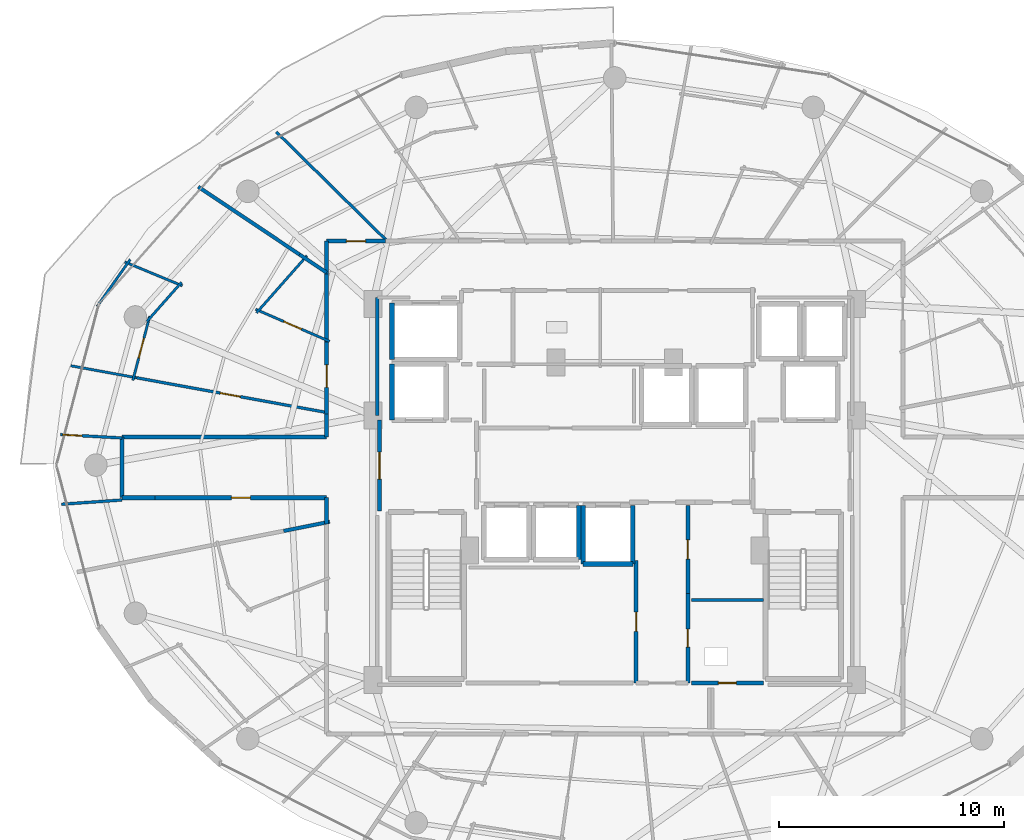
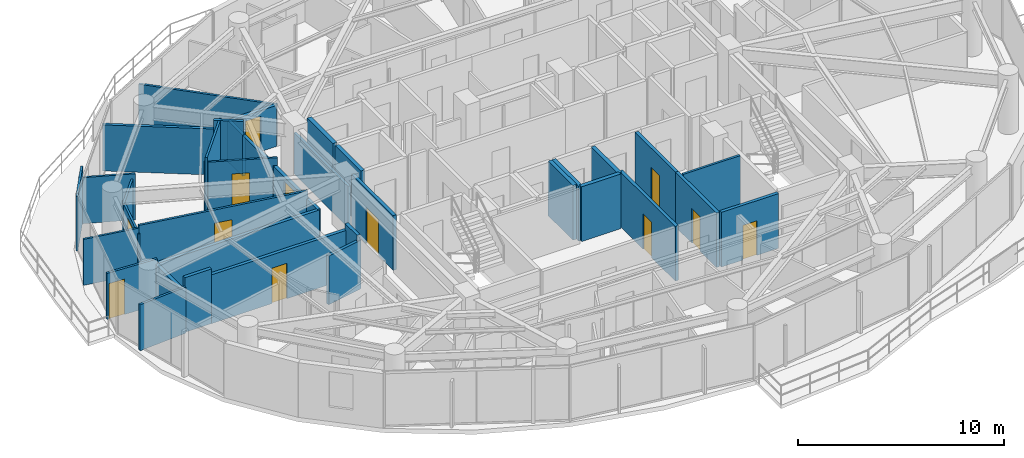
# One storey, part 22 of 30: 37 walls, 12 doors, 12 openings.
"""IFC4 building model written with IfcOpenShell, lengths in metres."""

import ifcopenshell
import ifcopenshell.guid

model = None  # the IFC model being written
_history = None  # IfcOwnerHistory: only IFC2X3 demands one
_inside = {}  # id of a spatial element -> (the spatial element, [elements in it])
_under = {}  # id of a project, library or spatial element -> (it, [spatial elements below it])
_declared = {}  # id of a project -> (the project, [libraries it declares])
_typed = {}  # id of a type object -> (the type object, [elements of that type])
_made_of = {}  # id of a material, layer set ... -> (it, [elements and type objects made of it])


def new_model(schema):
    """Start an empty IFC model of exactly this schema.

    Asked for "IFC4X3", IfcOpenShell would pick the latest addendum, in which some entities
    have other attributes; the version numbers below select the first issue.
    IFC2X3 requires an IfcOwnerHistory on every rooted entity: one is made here for all.
    """
    global model, _history
    if schema == "IFC4X3":
        model = ifcopenshell.file(schema_version=(4, 3, 0, 0))
    else:
        model = ifcopenshell.file(schema=schema)
    _inside.clear()
    _under.clear()
    _declared.clear()
    _typed.clear()
    _made_of.clear()
    _history = None
    if model.schema == "IFC2X3":
        org = make("IfcOrganization", Name="unknown")
        user = make(
            "IfcPersonAndOrganization",
            ThePerson=make("IfcPerson", FamilyName="unknown"),
            TheOrganization=org,
        )
        app = make(
            "IfcApplication",
            ApplicationDeveloper=org,
            Version="unknown",
            ApplicationFullName="unknown",
            ApplicationIdentifier="unknown",
        )
        _history = make(
            "IfcOwnerHistory",
            OwningUser=user,
            OwningApplication=app,
            ChangeAction="ADDED",
            CreationDate=0,
        )
    return model


def make(cls, **values):
    """One entity of the class cls with the attributes given. An attribute that is None is left unset."""
    return model.create_entity(
        cls, **{name: value for name, value in values.items() if value is not None}
    )


def rooted(cls, **values):
    """An entity with a GlobalId (a new one), such as an element, a storey or a relation."""
    return make(cls, GlobalId=ifcopenshell.guid.new(), OwnerHistory=_history, **values)


def si_unit(unit_type, name, prefix=None):
    """IfcSIUnit, for example si_unit("LENGTHUNIT", "METRE", prefix="MILLI")."""
    return make("IfcSIUnit", UnitType=unit_type, Prefix=prefix, Name=name)


def assignment(units):
    """IfcUnitAssignment: the units of a project."""
    return None if units is None else make("IfcUnitAssignment", Units=units)


def point(xyz):
    """IfcCartesianPoint."""
    return None if xyz is None else make("IfcCartesianPoint", Coordinates=xyz)


def direction(xyz):
    """IfcDirection."""
    return None if xyz is None else make("IfcDirection", DirectionRatios=xyz)


def frame(location, z_axis=None, x_axis=None):
    """IfcAxis2Placement3D, a coordinate frame: its origin and axes. An axis left out is left unset."""
    return make(
        "IfcAxis2Placement3D",
        Location=point(location),
        Axis=direction(z_axis),
        RefDirection=direction(x_axis),
    )


def frame_2d(location, x_axis=None):
    """IfcAxis2Placement2D, a coordinate frame in the plane: its origin and x axis."""
    return make(
        "IfcAxis2Placement2D", Location=point(location), RefDirection=direction(x_axis)
    )


def origin():
    """The frame at (0, 0, 0) with its axes left unset."""
    return frame((0.0, 0.0, 0.0))


def place(relative_to, where):
    """IfcLocalPlacement: puts the frame where relative to a parent placement (None: the world)."""
    return make(
        "IfcLocalPlacement", PlacementRelTo=relative_to, RelativePlacement=where
    )


def context(
    kind, dimensions, precision=None, world=None, true_north=None, identifier=None
):
    """IfcGeometricRepresentationContext, for example the 3D "Model" context."""
    return make(
        "IfcGeometricRepresentationContext",
        ContextIdentifier=identifier,
        ContextType=kind,
        CoordinateSpaceDimension=dimensions,
        Precision=precision,
        WorldCoordinateSystem=world,
        TrueNorth=true_north,
    )


def subcontext(parent, identifier, kind, view, scale=None):
    """IfcGeometricRepresentationSubContext, for example "Body" below "Model"."""
    return make(
        "IfcGeometricRepresentationSubContext",
        ContextIdentifier=identifier,
        ContextType=kind,
        ParentContext=parent,
        TargetScale=scale,
        TargetView=view,
    )


def project(units=None, contexts=None):
    """IfcProject with its units and contexts."""
    return rooted(
        "IfcProject",
        Name="project",
        RepresentationContexts=contexts,
        UnitsInContext=assignment(units),
    )


def spatial(cls, under=None, at=None, **own):
    """A site, building, storey or space (cls), placed at a placement, below another one or the project."""
    s = rooted(cls, ObjectPlacement=at, **own)
    if under is not None:
        _under.setdefault(under.id(), (under, []))[1].append(s)
    return s


def profile(cls, at=None, kind="AREA", **sizes):
    """A parametric profile (cls). Its sizes go by their IFC names, for example OverallWidth=200.0."""
    return make(cls, ProfileType=kind, Position=at, **sizes)


def rectangle(**sizes):
    """IfcRectangleProfileDef."""
    return profile("IfcRectangleProfileDef", **sizes)


def extrude(swept, where, along, depth):
    """IfcExtrudedAreaSolid: the profile swept, set in the frame where, extruded along a direction by depth."""
    return make(
        "IfcExtrudedAreaSolid",
        SweptArea=swept,
        Position=where,
        ExtrudedDirection=direction(along),
        Depth=depth,
    )


def shape(context_of_items, identifier, shape_type, items):
    """IfcShapeRepresentation: the items that make up one representation, for example the "Body"."""
    return make(
        "IfcShapeRepresentation",
        ContextOfItems=context_of_items,
        RepresentationIdentifier=identifier,
        RepresentationType=shape_type,
        Items=items,
    )


def material(Name=None, Category=None):
    """IfcMaterial."""
    return make("IfcMaterial", Name=Name, Category=Category)


def layer(
    of_material, thickness, ventilated=None, Name=None, Category=None, Priority=None
):
    """IfcMaterialLayer: one layer of a wall or slab, of a material (None: an air gap)."""
    return make(
        "IfcMaterialLayer",
        Material=of_material,
        LayerThickness=thickness,
        IsVentilated=ventilated,
        Name=Name,
        Category=Category,
        Priority=Priority,
    )


def layer_set(layers, Name=None):
    """IfcMaterialLayerSet."""
    return make("IfcMaterialLayerSet", MaterialLayers=layers, LayerSetName=Name)


def made_of(thing, what):
    """Note that an element or type object is made of a material, layer set ...; save() writes the relation."""
    if what is not None:
        _made_of.setdefault(what.id(), (what, []))[1].append(thing)
    return thing


def type_object(cls, material=None, **own):
    """A type object (cls), such as IfcWallType, which elements share."""
    return made_of(rooted(cls, **own), material)


def element(
    cls,
    number,
    at=None,
    inside=None,
    cuts=None,
    type_object=None,
    material=None,
    context=None,
    identifier="Body",
    shape_type=None,
    held_by="IfcProductDefinitionShape",
    body=None,
    shapes=None,
    **own,
):
    """One element of the class cls, such as IfcWall. Its Tag is "e" and its number.

    at: its placement. inside: the storey or other place that contains it. cuts: it is an
    opening in that element (IfcRelVoidsElement). A single representation is given by context,
    identifier, shape_type and body (its items); several are given by shapes. held_by: the class
    of the entity that holds the representations. save() writes the other relations.
    """
    e = rooted(cls, Tag="e%d" % number, ObjectPlacement=at, **own)
    if body is not None:
        shapes = [shape(context, identifier, shape_type, body)]
    if shapes is not None:
        e.Representation = make(held_by, Representations=shapes)
    if inside is not None:
        _inside.setdefault(inside.id(), (inside, []))[1].append(e)
    if cuts is not None:
        rooted(
            "IfcRelVoidsElement", RelatingBuildingElement=cuts, RelatedOpeningElement=e
        )
    if type_object is not None:
        _typed.setdefault(type_object.id(), (type_object, []))[1].append(e)
    return made_of(e, material)


def fill(opening, filler):
    """IfcRelFillsElement: the door or window that sits in an opening."""
    return rooted(
        "IfcRelFillsElement",
        RelatingOpeningElement=opening,
        RelatedBuildingElement=filler,
    )


def aggregate(whole, parts):
    """IfcRelAggregates: a whole, such as a stair, and the parts it consists of."""
    return rooted("IfcRelAggregates", RelatingObject=whole, RelatedObjects=parts)


def save(model, path):
    """Write the relations noted so far, then the file.

    IfcRelAggregates (storeys below a building ...), IfcRelContainedInSpatialStructure (elements
    in a storey), IfcRelDefinesByType, IfcRelAssociatesMaterial and IfcRelDeclares: one each for
    every whole, place, type object, material and project.
    """
    for whole, parts in _under.values():
        aggregate(whole, parts)
    for where, things in _inside.values():
        rooted(
            "IfcRelContainedInSpatialStructure",
            RelatedElements=things,
            RelatingStructure=where,
        )
    for kind, things in _typed.values():
        rooted("IfcRelDefinesByType", RelatedObjects=things, RelatingType=kind)
    for what, things in _made_of.values():
        rooted("IfcRelAssociatesMaterial", RelatedObjects=things, RelatingMaterial=what)
    for by, libraries in _declared.values():
        rooted("IfcRelDeclares", RelatingContext=by, RelatedDefinitions=libraries)
    model.write(path)


model = new_model("IFC4")

# Units and contexts
model_context = context("Model", 3, precision=1e-05, world=origin(), true_north=direction((0.0, 1.0)))
body_context = subcontext(model_context, "Body", "Model", "MODEL_VIEW")
ifc_project = project(units=[si_unit("LENGTHUNIT", "METRE"), si_unit("AREAUNIT", "SQUARE_METRE"), si_unit("VOLUMEUNIT", "CUBIC_METRE"), si_unit("PLANEANGLEUNIT", "RADIAN"), si_unit("MASSUNIT", "GRAM", prefix="KILO")], contexts=[model_context])

# Site, building, storey
site_placement = place(None, origin())
site = spatial("IfcSite", under=ifc_project, at=site_placement, CompositionType="ELEMENT")
building_placement = place(site_placement, origin())
building = spatial("IfcBuilding", under=site, at=building_placement, Name="Vorneva Point Tower", CompositionType="ELEMENT")
storey_placement = place(building_placement, frame((0.0, 0.0, 153.60009765625)))
storey = spatial("IfcBuildingStorey", under=building, at=storey_placement, Name="L41", CompositionType="ELEMENT", Elevation=153.60009765625)

# Wall
ifc_material_1 = material(Name="Concrete B60 (C50/60)", Category="concrete")
ifc_layer_1 = layer(ifc_material_1, 0.5)
ifc_layer_set_1 = layer_set([ifc_layer_1], Name="Concrete B60 (C50/60)")
wall_type_1 = type_object("IfcWallType", Name="WL-CORE-500", PredefinedType="SHEAR", material=ifc_layer_set_1)
wall_1_placement = place(storey_placement, frame((28.10009765625, 30.5, 0.0), z_axis=(0.0, 0.0, 1.0), x_axis=(0.0, -1.0, 0.0)))
element("IfcWall", 1, at=wall_1_placement, inside=storey, type_object=wall_type_1, Name="L41 Lift FFL1 Shaft Wall -X", PredefinedType="SHEAR", context=body_context, shape_type="SweptSolid", body=[
    extrude(rectangle(XDim=2.5, YDim=0.219970703125, at=frame_2d((1.25, 0.0))), origin(), (0.0, 0.0, 1.0), 3.239990234375),
])

# Wall, opening, door
ifc_material_2 = material(Name="Fire-rated acoustic gypsum stud partition", Category="gypsum")
ifc_layer_2 = layer(ifc_material_2, 0.110107421875)
ifc_layer_set_2 = layer_set([ifc_layer_2], Name="Fire-rated acoustic gypsum stud partition")
wall_type_2 = type_object("IfcWallType", Name="WL-PART-110", PredefinedType="PARTITIONING", material=ifc_layer_set_2)
wall_2_placement = place(storey_placement, frame((25.328369140625, 31.497314453125, 0.0), z_axis=(0.0, 0.0, 1.0), x_axis=(-0.917371334891, 0.398032453351, 0.0)))
wall_2 = element("IfcWall", 2, at=wall_2_placement, inside=storey, type_object=wall_type_2, Name="L41 Interior Partition 097", PredefinedType="PARTITIONING", context=body_context, shape_type="SweptSolid", body=[
    extrude(rectangle(XDim=3.578369140625, YDim=0.110107421875, at=frame_2d((1.7890625, 0.0))), origin(), (0.0, 0.0, 1.0), 2.885986328125),
])
opening_1_placement = place(wall_2_placement, frame((1.3642578125, 0.0, 0.0)))
opening_1 = element("IfcOpeningElement", 3, at=opening_1_placement, cuts=wall_2, Name="Opening ID-02", PredefinedType="OPENING", context=body_context, shape_type="SweptSolid", body=[
    extrude(rectangle(XDim=0.85009765625, YDim=2.10009765625, at=frame_2d((0.425048828125, 1.050048828125))), frame((0.0, 0.06982421875, 0.0), z_axis=(0.0, -1.0, 0.0), x_axis=(1.0, 0.0, 0.0)), (0.0, 0.0, 1.0), 0.139892578125),
])
ifc_material_3 = material(Name="Engineered oak fire-rated door leaf", Category="wood")
door_type_1 = type_object("IfcDoorType", Name="DR-BATH-850", OperationType="NOTDEFINED", PredefinedType="DOOR", material=ifc_material_3)
door_1_placement = place(opening_1_placement, origin())
door_1 = element("IfcDoor", 4, at=door_1_placement, inside=storey, type_object=door_type_1, Name="L41 Door Living and Dining Room L41-04 / Bathroom L41-04", OperationType="SINGLE_SWING_RIGHT", OverallHeight=2.10009765625, OverallWidth=0.85009765625, PredefinedType="DOOR", context=body_context, shape_type="SweptSolid", body=[
    extrude(rectangle(XDim=0.85009765625, YDim=2.10009765625, at=frame_2d((0.425048828125, 1.050048828125))), frame((0.0, 0.02490234375, 0.0), z_axis=(0.0, -1.0, 0.0), x_axis=(1.0, 0.0, 0.0)), (0.0, 0.0, 1.0), 0.050048828125),
])
fill(opening_1, door_1)

# Walls
wall_3_placement = place(storey_placement, frame((22.081298828125, 32.760986328125, 0.0), z_axis=(0.0, 0.0, 1.0), x_axis=(0.662023888113, 0.749482736004, 0.0)))
element("IfcWall", 5, at=wall_3_placement, inside=storey, type_object=wall_type_2, Name="L41 Interior Partition 098", PredefinedType="PARTITIONING", context=body_context, shape_type="SweptSolid", body=[
    extrude(rectangle(XDim=3.3916015625, YDim=0.110107421875, at=frame_2d((1.69580078125, 0.0))), origin(), (0.0, 0.0, 1.0), 3.239990234375),
])
wall_4_placement = place(storey_placement, frame((16.230712890625, 35.025634765625, 0.0), z_axis=(0.0, 0.0, 1.0), x_axis=(0.923742873908, -0.383013188943, 0.0)))
element("IfcWall", 6, at=wall_4_placement, inside=storey, type_object=wall_type_2, Name="L41 Interior Partition 099", PredefinedType="PARTITIONING", context=body_context, shape_type="SweptSolid", body=[
    extrude(rectangle(XDim=2.770751953125, YDim=0.110107421875, at=frame_2d((1.38525390625, 0.0))), origin(), (0.0, 0.0, 1.0), 2.727783203125),
])
wall_5_placement = place(storey_placement, frame((18.753662109375, 34.122802734375, 0.0), z_axis=(0.0, 0.0, 1.0), x_axis=(-0.66207590595, -0.749436785033, 0.0)))
element("IfcWall", 7, at=wall_5_placement, inside=storey, type_object=wall_type_2, Name="L41 Interior Partition 100", PredefinedType="PARTITIONING", context=body_context, shape_type="SweptSolid", body=[
    extrude(rectangle(XDim=2.327880859375, YDim=0.110107421875, at=frame_2d((1.1640625, 0.0))), origin(), (0.0, 0.0, 1.0), 2.431884765625),
])

# Wall, opening, door
wall_6_placement = place(storey_placement, frame((17.340576171875, 32.618408203125, 0.0), z_axis=(0.0, 0.0, 1.0), x_axis=(-0.254191595923, -0.967153882566, 0.0)))
wall_6 = element("IfcWall", 8, at=wall_6_placement, inside=storey, type_object=wall_type_2, Name="L41 Interior Partition 101", PredefinedType="PARTITIONING", context=body_context, shape_type="SweptSolid", body=[
    extrude(rectangle(XDim=2.94775390625, YDim=0.110107421875, at=frame_2d((1.473876953125, 0.0))), origin(), (0.0, 0.0, 1.0), 2.431884765625),
])
opening_2_placement = place(wall_6_placement, frame((1.023681640625, 0.0, 0.0)))
opening_2 = element("IfcOpeningElement", 9, at=opening_2_placement, cuts=wall_6, Name="Opening ID-01", PredefinedType="OPENING", context=body_context, shape_type="SweptSolid", body=[
    extrude(rectangle(XDim=0.89990234375, YDim=2.10009765625, at=frame_2d((0.449951171875, 1.050048828125))), frame((0.0, 0.06982421875, 0.0), z_axis=(0.0, -1.0, 0.0), x_axis=(1.0, 0.0, 0.0)), (0.0, 0.0, 1.0), 0.139892578125),
])
door_type_2 = type_object("IfcDoorType", Name="DR-ROOM-900", OperationType="NOTDEFINED", PredefinedType="DOOR", material=ifc_material_3)
door_2_placement = place(opening_2_placement, origin())
door_2 = element("IfcDoor", 10, at=door_2_placement, inside=storey, type_object=door_type_2, Name="L41 Door Living and Dining Room L41-04 / Kitchen L41-04", OperationType="SINGLE_SWING_RIGHT", OverallHeight=2.10009765625, OverallWidth=0.89990234375, PredefinedType="DOOR", context=body_context, shape_type="SweptSolid", body=[
    extrude(rectangle(XDim=0.89990234375, YDim=2.10009765625, at=frame_2d((0.449951171875, 1.050048828125))), frame((0.0, 0.02490234375, 0.0), z_axis=(0.0, -1.0, 0.0), x_axis=(1.0, 0.0, 0.0)), (0.0, 0.0, 1.0), 0.050048828125),
])
fill(opening_2, door_2)

# Walls
wall_7_placement = place(storey_placement, frame((16.4755859375, 35.136474609375, 0.0), z_axis=(0.0, 0.0, 1.0), x_axis=(-0.576469555269, -0.81711862777, 0.0)))
element("IfcWall", 11, at=wall_7_placement, inside=storey, type_object=wall_type_2, Name="L41 Interior Partition 102", PredefinedType="PARTITIONING", context=body_context, shape_type="SweptSolid", body=[
    extrude(rectangle(XDim=2.5576171875, YDim=0.110107421875, at=frame_2d((1.27880859375, 0.0))), origin(), (0.0, 0.0, 1.0), 3.239990234375),
])
wall_8_placement = place(storey_placement, frame((13.834228515625, 30.4130859375, 0.0), z_axis=(0.0, 0.0, 1.0), x_axis=(0.983716126889, -0.179729189891, 0.0)))
element("IfcWall", 12, at=wall_8_placement, inside=storey, type_object=wall_type_2, Name="L41 Interior Partition 104", PredefinedType="PARTITIONING", context=body_context, shape_type="SweptSolid", body=[
    extrude(rectangle(XDim=2.97900390625, YDim=0.110107421875, at=frame_2d((1.489501953125, 0.0))), origin(), (0.0, 0.0, 1.0), 2.727783203125),
])
ifc_layer_3 = layer(ifc_material_2, 0.125)
ifc_layer_set_3 = layer_set([ifc_layer_3], Name="Fire-rated acoustic gypsum stud partition")
wall_type_3 = type_object("IfcWallType", Name="WL-PART-125", PredefinedType="PARTITIONING", material=ifc_layer_set_3)
wall_9_placement = place(storey_placement, frame((44.60009765625, 20.0, 0.0), z_axis=(0.0, 0.0, 1.0), x_axis=(-1.0, 0.0, 0.0)))
element("IfcWall", 13, at=wall_9_placement, inside=storey, type_object=wall_type_3, Name="L41 Interior Partition 017", PredefinedType="PARTITIONING", context=body_context, shape_type="SweptSolid", body=[
    extrude(rectangle(XDim=3.2001953125, YDim=0.125, at=frame_2d((1.60009765625, 0.0))), origin(), (0.0, 0.0, 1.0), 3.239990234375),
])
wall_10_placement = place(storey_placement, frame((22.9599609375, 40.805908203125, 0.0), z_axis=(0.0, 0.0, 1.0), x_axis=(0.712587980465, -0.70158276069, 0.0)))
element("IfcWall", 14, at=wall_10_placement, inside=storey, type_object=wall_type_3, Name="L41 Interior Partition 094", PredefinedType="PARTITIONING", context=body_context, shape_type="SweptSolid", body=[
    extrude(rectangle(XDim=6.92138671875, YDim=0.125, at=frame_2d((3.460693359375, 0.0))), origin(), (0.0, 0.0, 1.0), 2.431884765625),
])

# Wall, opening, door
wall_11_placement = place(storey_placement, frame((16.626953125, 29.903076171875, 0.0), z_axis=(0.0, 0.0, 1.0), x_axis=(0.983739211704, -0.179602793286, 0.0)))
wall_11 = element("IfcWall", 15, at=wall_11_placement, inside=storey, type_object=wall_type_3, Name="L41 Interior Partition 103", PredefinedType="PARTITIONING", context=body_context, shape_type="SweptSolid", body=[
    extrude(rectangle(XDim=8.714599609375, YDim=0.125, at=frame_2d((4.357421875, 0.0))), origin(), (0.0, 0.0, 1.0), 2.885986328125),
])
opening_3_placement = place(wall_11_placement, frame((3.9072265625, 0.0, 0.0)))
opening_3 = element("IfcOpeningElement", 16, at=opening_3_placement, cuts=wall_11, Name="Opening ID-01", PredefinedType="OPENING", context=body_context, shape_type="SweptSolid", body=[
    extrude(rectangle(XDim=0.89990234375, YDim=2.10009765625, at=frame_2d((0.449951171875, 1.050048828125))), frame((0.0, 0.077392578125, 0.0), z_axis=(0.0, -1.0, 0.0), x_axis=(1.0, 0.0, 0.0)), (0.0, 0.0, 1.0), 0.15478515625),
])
door_3_placement = place(opening_3_placement, origin())
door_3 = element("IfcDoor", 17, at=door_3_placement, inside=storey, type_object=door_type_2, Name="L41 Door Living and Dining Room L41-04 / Master Bedroom L41-04.1", OperationType="SINGLE_SWING_RIGHT", OverallHeight=2.10009765625, OverallWidth=0.89990234375, PredefinedType="DOOR", context=body_context, shape_type="SweptSolid", body=[
    extrude(rectangle(XDim=0.89990234375, YDim=2.10009765625, at=frame_2d((0.449951171875, 1.050048828125))), frame((0.0, 0.02490234375, 0.0), z_axis=(0.0, -1.0, 0.0), x_axis=(1.0, 0.0, 0.0)), (0.0, 0.0, 1.0), 0.050048828125),
])
fill(opening_3, door_3)

wall_12_placement = place(storey_placement, frame((13.376953125, 27.35498046875, 0.0), z_axis=(0.0, 0.0, 1.0), x_axis=(0.998488320145, -0.054964302364, 0.0)))
wall_12 = element("IfcWall", 18, at=wall_12_placement, inside=storey, type_object=wall_type_3, Name="L41 Interior Partition 105", PredefinedType="PARTITIONING", context=body_context, shape_type="SweptSolid", body=[
    extrude(rectangle(XDim=2.727294921875, YDim=0.125, at=frame_2d((1.36376953125, 0.0))), origin(), (0.0, 0.0, 1.0), 2.727783203125),
])
opening_4_placement = place(wall_12_placement, frame((0.0986328125, 0.0, 0.0)))
opening_4 = element("IfcOpeningElement", 19, at=opening_4_placement, cuts=wall_12, Name="Opening ID-02", PredefinedType="OPENING", context=body_context, shape_type="SweptSolid", body=[
    extrude(rectangle(XDim=0.85009765625, YDim=2.10009765625, at=frame_2d((0.425048828125, 1.050048828125))), frame((0.0, 0.077392578125, 0.0), z_axis=(0.0, -1.0, 0.0), x_axis=(1.0, 0.0, 0.0)), (0.0, 0.0, 1.0), 0.15478515625),
])
door_4_placement = place(opening_4_placement, origin())
door_4 = element("IfcDoor", 20, at=door_4_placement, inside=storey, type_object=door_type_1, Name="L41 Access Door Master Bedroom L41-04.1", OperationType="SINGLE_SWING_LEFT", OverallHeight=2.10009765625, OverallWidth=0.85009765625, PredefinedType="DOOR", context=body_context, shape_type="SweptSolid", body=[
    extrude(rectangle(XDim=0.85009765625, YDim=2.10009765625, at=frame_2d((0.425048828125, 1.050048828125))), frame((0.0, 0.02490234375, 0.0), z_axis=(0.0, -1.0, 0.0), x_axis=(1.0, 0.0, 0.0)), (0.0, 0.0, 1.0), 0.050048828125),
])
fill(opening_4, door_4)

# Walls
wall_13_placement = place(storey_placement, frame((13.427001953125, 24.260009765625, 0.0), z_axis=(0.0, 0.0, 1.0), x_axis=(0.997504277417, 0.070606065851, 0.0)))
element("IfcWall", 21, at=wall_13_placement, inside=storey, type_object=wall_type_3, Name="L41 Interior Partition 106", PredefinedType="PARTITIONING", context=body_context, shape_type="SweptSolid", body=[
    extrude(rectangle(XDim=2.6796875, YDim=0.125, at=frame_2d((1.33984375, 0.0))), origin(), (0.0, 0.0, 1.0), 2.727783203125),
])
ifc_layer_4 = layer(ifc_material_2, 0.139892578125)
ifc_layer_set_4 = layer_set([ifc_layer_4], Name="Fire-rated acoustic gypsum stud partition")
wall_type_4 = type_object("IfcWallType", Name="WL-PART-140", PredefinedType="PARTITIONING", material=ifc_layer_set_4)
wall_14_placement = place(storey_placement, frame((27.449951171875, 33.449951171875, 0.0), z_axis=(0.0, 0.0, 1.0), x_axis=(0.0, -1.0, 0.0)))
element("IfcWall", 22, at=wall_14_placement, inside=storey, type_object=wall_type_4, Name="L41 Interior Closure Partition 150", PredefinedType="PARTITIONING", context=body_context, shape_type="SweptSolid", body=[
    extrude(rectangle(XDim=5.25390625, YDim=0.139892578125, at=frame_2d((2.626953125, 0.0))), origin(), (0.0, 0.0, 1.0), 2.431884765625),
])
ifc_layer_5 = layer(ifc_material_2, 0.159912109375)
ifc_layer_set_5 = layer_set([ifc_layer_5], Name="Fire-rated acoustic gypsum stud partition")
wall_type_5 = type_object("IfcWallType", Name="WL-PART-160", PredefinedType="PARTITIONING", material=ifc_layer_set_5)
wall_15_placement = place(storey_placement, frame((23.9951171875, 35.35791015625, 0.0), z_axis=(0.0, 0.0, 1.0), x_axis=(0.831505536539, -0.555516464837, 0.0)))
element("IfcWall", 23, at=wall_15_placement, inside=storey, type_object=wall_type_5, Name="L41 Interior Partition 095", PredefinedType="PARTITIONING", context=body_context, shape_type="SweptSolid", body=[
    extrude(rectangle(XDim=1.448974609375, YDim=0.159912109375, at=frame_2d((0.724609375, 0.0))), origin(), (0.0, 0.0, 1.0), 3.239990234375),
])
wall_16_placement = place(storey_placement, frame((19.4951171875, 38.364013671875, 0.0), z_axis=(0.0, 0.0, 1.0), x_axis=(0.831529389247, -0.55548076008, 0.0)))
element("IfcWall", 24, at=wall_16_placement, inside=storey, type_object=wall_type_5, Name="L41 Interior Partition 096", PredefinedType="PARTITIONING", context=body_context, shape_type="SweptSolid", body=[
    extrude(rectangle(XDim=5.41162109375, YDim=0.159912109375, at=frame_2d((2.705810546875, 0.0))), origin(), (0.0, 0.0, 1.0), 2.727783203125),
])
wall_17_placement = place(storey_placement, frame((23.2890625, 23.073974609375, 0.0), z_axis=(0.0, 0.0, 1.0), x_axis=(0.980804842296, 0.194991951961, 0.0)))
element("IfcWall", 25, at=wall_17_placement, inside=storey, type_object=wall_type_5, Name="L41 Interior Partition 109", PredefinedType="PARTITIONING", context=body_context, shape_type="SweptSolid", body=[
    extrude(rectangle(XDim=2.08837890625, YDim=0.159912109375, at=frame_2d((1.044189453125, 0.0))), origin(), (0.0, 0.0, 1.0), 2.885986328125),
])

# Wall, opening, door
ifc_material_4 = material(Name="Autoclaved aerated concrete blockwork", Category="masonry")
ifc_layer_6 = layer(ifc_material_4, 0.179931640625)
ifc_layer_set_6 = layer_set([ifc_layer_6], Name="Autoclaved aerated concrete blockwork")
wall_type_6 = type_object("IfcWallType", Name="WL-PART-180", PredefinedType="PARTITIONING", material=ifc_layer_set_6)
wall_18_placement = place(storey_placement, frame((27.550048828125, 28.0, 0.0), z_axis=(0.0, 0.0, 1.0), x_axis=(0.0, -1.0, 0.0)))
wall_18 = element("IfcWall", 26, at=wall_18_placement, inside=storey, type_object=wall_type_6, Name="L41 Interior Partition 002", PredefinedType="PARTITIONING", context=body_context, shape_type="SweptSolid", body=[
    extrude(rectangle(XDim=4.050048828125, YDim=0.179931640625, at=frame_2d((2.02490234375, 0.0))), origin(), (0.0, 0.0, 1.0), 3.239990234375),
])
opening_5_placement = place(wall_18_placement, frame((1.425048828125, 0.0, 0.0)))
opening_5 = element("IfcOpeningElement", 27, at=opening_5_placement, cuts=wall_18, Name="Opening FD-02", PredefinedType="OPENING", context=body_context, shape_type="SweptSolid", body=[
    extrude(rectangle(XDim=1.199951171875, YDim=2.14990234375, at=frame_2d((0.60009765625, 1.074951171875))), frame((0.0, 0.10498046875, 0.0), z_axis=(0.0, -1.0, 0.0), x_axis=(1.0, 0.0, 0.0)), (0.0, 0.0, 1.0), 0.209716796875),
])
ifc_material_5 = material(Name="Fire-rated powder-coated steel", Category="steel")
door_type_3 = type_object("IfcDoorType", Name="DR-FFL-1200", OperationType="NOTDEFINED", PredefinedType="DOOR", material=ifc_material_5)
door_5_placement = place(opening_5_placement, origin())
door_5 = element("IfcDoor", 28, at=door_5_placement, inside=storey, type_object=door_type_3, Name="L41 Door West Firefighting Lobby / L41 Circulation Corridor", OperationType="SINGLE_SWING_RIGHT", OverallHeight=2.14990234375, OverallWidth=1.199951171875, PredefinedType="DOOR", context=body_context, shape_type="SweptSolid", body=[
    extrude(rectangle(XDim=1.199951171875, YDim=2.14990234375, at=frame_2d((0.60009765625, 1.074951171875))), frame((0.0, 0.02490234375, 0.0), z_axis=(0.0, -1.0, 0.0), x_axis=(1.0, 0.0, 0.0)), (0.0, 0.0, 1.0), 0.050048828125),
])
fill(opening_5, door_5)

wall_19_placement = place(storey_placement, frame((41.25, 16.320068359375, 0.0), z_axis=(0.0, 0.0, 1.0), x_axis=(0.0, 1.0, 0.0)))
wall_19 = element("IfcWall", 29, at=wall_19_placement, inside=storey, type_object=wall_type_6, Name="L41 Interior Partition 013", PredefinedType="PARTITIONING", context=body_context, shape_type="SweptSolid", body=[
    extrude(rectangle(XDim=3.98486328125, YDim=0.179931640625, at=frame_2d((1.992431640625, 0.0))), origin(), (0.0, 0.0, 1.0), 3.239990234375),
])
opening_6_placement = place(wall_19_placement, frame((1.592529296875, 0.0, 0.0)))
opening_6 = element("IfcOpeningElement", 30, at=opening_6_placement, cuts=wall_19, Name="Opening RD-01", PredefinedType="OPENING", context=body_context, shape_type="SweptSolid", body=[
    extrude(rectangle(XDim=0.800048828125, YDim=2.050048828125, at=frame_2d((0.39990234375, 1.02490234375))), frame((0.0, 0.10498046875, 0.0), z_axis=(0.0, -1.0, 0.0), x_axis=(1.0, 0.0, 0.0)), (0.0, 0.0, 1.0), 0.209716796875),
])
door_type_4 = type_object("IfcDoorType", Name="DR-RSR-800", OperationType="SINGLE_SWING_LEFT", PredefinedType="DOOR", material=ifc_material_5)
door_6_placement = place(opening_6_placement, origin())
door_6 = element("IfcDoor", 31, at=door_6_placement, inside=storey, type_object=door_type_4, Name="L41 Door Core Service Lobby / Electrical Riser", OperationType="SINGLE_SWING_LEFT", OverallHeight=2.050048828125, OverallWidth=0.800048828125, PredefinedType="DOOR", context=body_context, shape_type="SweptSolid", body=[
    extrude(rectangle(XDim=0.800048828125, YDim=2.050048828125, at=frame_2d((0.39990234375, 1.02490234375))), frame((0.0, 0.02490234375, 0.0), z_axis=(0.0, -1.0, 0.0), x_axis=(1.0, 0.0, 0.0)), (0.0, 0.0, 1.0), 0.050048828125),
])
fill(opening_6, door_6)

wall_20_placement = place(storey_placement, frame((41.25, 20.304931640625, 0.0), z_axis=(0.0, 0.0, 1.0), x_axis=(0.0, 1.0, 0.0)))
wall_20 = element("IfcWall", 32, at=wall_20_placement, inside=storey, type_object=wall_type_6, Name="L41 Interior Partition 014", PredefinedType="PARTITIONING", context=body_context, shape_type="SweptSolid", body=[
    extrude(rectangle(XDim=3.89501953125, YDim=0.179931640625, at=frame_2d((1.947509765625, 0.0))), origin(), (0.0, 0.0, 1.0), 3.239990234375),
])
opening_7_placement = place(wall_20_placement, frame((1.5224609375, 0.0, 0.0)))
opening_7 = element("IfcOpeningElement", 33, at=opening_7_placement, cuts=wall_20, Name="Opening ID-02", PredefinedType="OPENING", context=body_context, shape_type="SweptSolid", body=[
    extrude(rectangle(XDim=0.85009765625, YDim=2.10009765625, at=frame_2d((0.425048828125, 1.050048828125))), frame((0.0, 0.10498046875, 0.0), z_axis=(0.0, -1.0, 0.0), x_axis=(1.0, 0.0, 0.0)), (0.0, 0.0, 1.0), 0.209716796875),
])
door_7_placement = place(opening_7_placement, origin())
door_7 = element("IfcDoor", 34, at=door_7_placement, inside=storey, type_object=door_type_1, Name="L41 Door Core Service Lobby / Cleaners Store", OperationType="SINGLE_SWING_RIGHT", OverallHeight=2.10009765625, OverallWidth=0.85009765625, PredefinedType="DOOR", context=body_context, shape_type="SweptSolid", body=[
    extrude(rectangle(XDim=0.85009765625, YDim=2.10009765625, at=frame_2d((0.425048828125, 1.050048828125))), frame((0.0, 0.02490234375, 0.0), z_axis=(0.0, -1.0, 0.0), x_axis=(1.0, 0.0, 0.0)), (0.0, 0.0, 1.0), 0.050048828125),
])
fill(opening_7, door_7)

wall_21_placement = place(storey_placement, frame((38.949951171875, 21.7548828125, 0.0), z_axis=(0.0, 0.0, 1.0), x_axis=(0.0, -1.0, 0.0)))
wall_21 = element("IfcWall", 35, at=wall_21_placement, inside=storey, type_object=wall_type_6, Name="L41 Interior Partition 015", PredefinedType="PARTITIONING", context=body_context, shape_type="SweptSolid", body=[
    extrude(rectangle(XDim=5.434814453125, YDim=0.179931640625, at=frame_2d((2.71728515625, 0.0))), origin(), (0.0, 0.0, 1.0), 3.239990234375),
])
opening_8_placement = place(wall_21_placement, frame((2.29248046875, 0.0, 0.0)))
opening_8 = element("IfcOpeningElement", 36, at=opening_8_placement, cuts=wall_21, Name="Opening ID-02", PredefinedType="OPENING", context=body_context, shape_type="SweptSolid", body=[
    extrude(rectangle(XDim=0.85009765625, YDim=2.10009765625, at=frame_2d((0.425048828125, 1.050048828125))), frame((0.0, 0.10498046875, 0.0), z_axis=(0.0, -1.0, 0.0), x_axis=(1.0, 0.0, 0.0)), (0.0, 0.0, 1.0), 0.209716796875),
])
door_8_placement = place(opening_8_placement, origin())
door_8 = element("IfcDoor", 37, at=door_8_placement, inside=storey, type_object=door_type_1, Name="L41 Door Core Service Lobby / Floor Storage Room", OperationType="SINGLE_SWING_LEFT", OverallHeight=2.10009765625, OverallWidth=0.85009765625, PredefinedType="DOOR", context=body_context, shape_type="SweptSolid", body=[
    extrude(rectangle(XDim=0.85009765625, YDim=2.10009765625, at=frame_2d((0.425048828125, 1.050048828125))), frame((0.0, 0.02490234375, 0.0), z_axis=(0.0, -1.0, 0.0), x_axis=(1.0, 0.0, 0.0)), (0.0, 0.0, 1.0), 0.050048828125),
])
fill(opening_8, door_8)

wall_22_placement = place(storey_placement, frame((41.39990234375, 16.320068359375, 0.0), z_axis=(0.0, 0.0, 1.0), x_axis=(1.0, 0.0, 0.0)))
wall_22 = element("IfcWall", 38, at=wall_22_placement, inside=storey, type_object=wall_type_6, Name="L41 Interior Partition 018", PredefinedType="PARTITIONING", context=body_context, shape_type="SweptSolid", body=[
    extrude(rectangle(XDim=3.2001953125, YDim=0.179931640625, at=frame_2d((1.60009765625, 0.0))), origin(), (0.0, 0.0, 1.0), 3.239990234375),
])
opening_9_placement = place(wall_22_placement, frame((1.199951171875, 0.0, 0.0)))
opening_9 = element("IfcOpeningElement", 39, at=opening_9_placement, cuts=wall_22, Name="Opening RD-01", PredefinedType="OPENING", context=body_context, shape_type="SweptSolid", body=[
    extrude(rectangle(XDim=0.800048828125, YDim=2.050048828125, at=frame_2d((0.39990234375, 1.02490234375))), frame((0.0, 0.10498046875, 0.0), z_axis=(0.0, -1.0, 0.0), x_axis=(1.0, 0.0, 0.0)), (0.0, 0.0, 1.0), 0.209716796875),
])
door_9_placement = place(opening_9_placement, origin())
door_9 = element("IfcDoor", 40, at=door_9_placement, inside=storey, type_object=door_type_4, Name="L41 Door Electrical Riser / L41 Circulation Corridor", OperationType="SINGLE_SWING_LEFT", OverallHeight=2.050048828125, OverallWidth=0.800048828125, PredefinedType="DOOR", context=body_context, shape_type="SweptSolid", body=[
    extrude(rectangle(XDim=0.800048828125, YDim=2.050048828125, at=frame_2d((0.39990234375, 1.02490234375))), frame((0.0, 0.02490234375, 0.0), z_axis=(0.0, -1.0, 0.0), x_axis=(1.0, 0.0, 0.0)), (0.0, 0.0, 1.0), 0.050048828125),
])
fill(opening_9, door_9)

wall_23_placement = place(storey_placement, frame((27.805908203125, 35.949951171875, 0.0), z_axis=(0.0, 0.0, 1.0), x_axis=(-1.0, 0.0, 0.0)))
wall_23 = element("IfcWall", 41, at=wall_23_placement, inside=storey, type_object=wall_type_6, Name="L41 Interior Partition 038", PredefinedType="PARTITIONING", context=body_context, shape_type="SweptSolid", body=[
    extrude(rectangle(XDim=2.60595703125, YDim=0.179931640625, at=frame_2d((1.302978515625, 0.0))), origin(), (0.0, 0.0, 1.0), 2.431884765625),
])
opening_10_placement = place(wall_23_placement, frame((0.8779296875, 0.0, 0.0)))
opening_10 = element("IfcOpeningElement", 42, at=opening_10_placement, cuts=wall_23, Name="Opening ID-02", PredefinedType="OPENING", context=body_context, shape_type="SweptSolid", body=[
    extrude(rectangle(XDim=0.85009765625, YDim=2.10009765625, at=frame_2d((0.425048828125, 1.050048828125))), frame((0.0, 0.10498046875, 0.0), z_axis=(0.0, -1.0, 0.0), x_axis=(1.0, 0.0, 0.0)), (0.0, 0.0, 1.0), 0.209716796875),
])
door_10_placement = place(opening_10_placement, origin())
door_10 = element("IfcDoor", 43, at=door_10_placement, inside=storey, type_object=door_type_1, Name="L41 Access Door L41 Circulation Corridor", OperationType="SINGLE_SWING_RIGHT", OverallHeight=2.10009765625, OverallWidth=0.85009765625, PredefinedType="DOOR", context=body_context, shape_type="SweptSolid", body=[
    extrude(rectangle(XDim=0.85009765625, YDim=2.10009765625, at=frame_2d((0.425048828125, 1.050048828125))), frame((0.0, 0.02490234375, 0.0), z_axis=(0.0, -1.0, 0.0), x_axis=(1.0, 0.0, 0.0)), (0.0, 0.0, 1.0), 0.050048828125),
])
fill(opening_10, door_10)

# Wall
wall_24_placement = place(storey_placement, frame((25.199951171875, 35.949951171875, 0.0), z_axis=(0.0, 0.0, 1.0), x_axis=(0.0, -1.0, 0.0)))
element("IfcWall", 44, at=wall_24_placement, inside=storey, type_object=wall_type_6, Name="L41 Interior Partition 039", PredefinedType="PARTITIONING", context=body_context, shape_type="SweptSolid", body=[
    extrude(rectangle(XDim=1.45703125, YDim=0.179931640625, at=frame_2d((0.728515625, 0.0))), origin(), (0.0, 0.0, 1.0), 2.431884765625),
])

# Wall, opening, door
wall_25_placement = place(storey_placement, frame((25.199951171875, 31.617919921875, 0.0), z_axis=(0.0, 0.0, 1.0), x_axis=(0.0, -1.0, 0.0)))
wall_25 = element("IfcWall", 45, at=wall_25_placement, inside=storey, type_object=wall_type_6, Name="L41 Interior Partition 040", PredefinedType="PARTITIONING", context=body_context, shape_type="SweptSolid", body=[
    extrude(rectangle(XDim=3.33984375, YDim=0.179931640625, at=frame_2d((1.669921875, 0.0))), origin(), (0.0, 0.0, 1.0), 2.431884765625),
])
opening_11_placement = place(wall_25_placement, frame((1.169921875, 0.0, 0.0)))
opening_11 = element("IfcOpeningElement", 46, at=opening_11_placement, cuts=wall_25, Name="Opening UD-01", PredefinedType="OPENING", context=body_context, shape_type="SweptSolid", body=[
    extrude(rectangle(XDim=1.0, YDim=2.14990234375, at=frame_2d((0.5, 1.074951171875))), frame((0.0, 0.10498046875, 0.0), z_axis=(0.0, -1.0, 0.0), x_axis=(1.0, 0.0, 0.0)), (0.0, 0.0, 1.0), 0.209716796875),
])
door_type_5 = type_object("IfcDoorType", Name="DR-UNIT-1000", OperationType="NOTDEFINED", PredefinedType="DOOR", material=ifc_material_3)
door_11_placement = place(opening_11_placement, origin())
door_11 = element("IfcDoor", 47, at=door_11_placement, inside=storey, type_object=door_type_5, Name="L41 Door L41 Circulation Corridor / Living and Dining Room L41-04", OperationType="SINGLE_SWING_RIGHT", OverallHeight=2.14990234375, OverallWidth=1.0, PredefinedType="DOOR", context=body_context, shape_type="SweptSolid", body=[
    extrude(rectangle(XDim=1.0, YDim=2.14990234375, at=frame_2d((0.5, 1.074951171875))), frame((0.0, 0.02490234375, 0.0), z_axis=(0.0, -1.0, 0.0), x_axis=(1.0, 0.0, 0.0)), (0.0, 0.0, 1.0), 0.050048828125),
])
fill(opening_11, door_11)

# Walls
wall_26_placement = place(storey_placement, frame((25.199951171875, 34.633056640625, 0.0), z_axis=(0.0, 0.0, 1.0), x_axis=(0.0, -1.0, 0.0)))
element("IfcWall", 48, at=wall_26_placement, inside=storey, type_object=wall_type_6, Name="L41 Interior Partition 041", PredefinedType="PARTITIONING", context=body_context, shape_type="SweptSolid", body=[
    extrude(rectangle(XDim=3.155029296875, YDim=0.179931640625, at=frame_2d((1.57763671875, 0.0))), origin(), (0.0, 0.0, 1.0), 2.431884765625),
])
wall_27_placement = place(storey_placement, frame((25.199951171875, 28.278076171875, 0.0), z_axis=(0.0, 0.0, 1.0), x_axis=(0.0, -1.0, 0.0)))
element("IfcWall", 49, at=wall_27_placement, inside=storey, type_object=wall_type_6, Name="L41 Interior Partition 042", PredefinedType="PARTITIONING", context=body_context, shape_type="SweptSolid", body=[
    extrude(rectangle(XDim=1.028076171875, YDim=0.179931640625, at=frame_2d((0.51416015625, 0.0))), origin(), (0.0, 0.0, 1.0), 2.431884765625),
])
wall_28_placement = place(storey_placement, frame((25.199951171875, 27.25, 0.0), z_axis=(0.0, 0.0, 1.0), x_axis=(-1.0, 0.0, 0.0)))
element("IfcWall", 50, at=wall_28_placement, inside=storey, type_object=wall_type_6, Name="L41 Interior Partition 043", PredefinedType="PARTITIONING", context=body_context, shape_type="SweptSolid", body=[
    extrude(rectangle(XDim=9.099853515625, YDim=0.179931640625, at=frame_2d((4.5498046875, 0.0))), origin(), (0.0, 0.0, 1.0), 2.431884765625),
])
wall_29_placement = place(storey_placement, frame((16.10009765625, 27.25, 0.0), z_axis=(0.0, 0.0, 1.0), x_axis=(0.0, -1.0, 0.0)))
element("IfcWall", 51, at=wall_29_placement, inside=storey, type_object=wall_type_6, Name="L41 Interior Partition 044", PredefinedType="PARTITIONING", context=body_context, shape_type="SweptSolid", body=[
    extrude(rectangle(XDim=2.699951171875, YDim=0.179931640625, at=frame_2d((1.35009765625, 0.0))), origin(), (0.0, 0.0, 1.0), 2.431884765625),
])
wall_30_placement = place(storey_placement, frame((16.10009765625, 24.550048828125, 0.0), z_axis=(0.0, 0.0, 1.0), x_axis=(1.0, 0.0, 0.0)))
element("IfcWall", 52, at=wall_30_placement, inside=storey, type_object=wall_type_6, Name="L41 Interior Partition 045", PredefinedType="PARTITIONING", context=body_context, shape_type="SweptSolid", body=[
    extrude(rectangle(XDim=1.48095703125, YDim=0.179931640625, at=frame_2d((0.740478515625, 0.0))), origin(), (0.0, 0.0, 1.0), 3.239990234375),
])

# Wall, opening, door
wall_31_placement = place(storey_placement, frame((17.5810546875, 24.550048828125, 0.0), z_axis=(0.0, 0.0, 1.0), x_axis=(1.0, 0.0, 0.0)))
wall_31 = element("IfcWall", 53, at=wall_31_placement, inside=storey, type_object=wall_type_6, Name="L41 Interior Partition 046", PredefinedType="PARTITIONING", context=body_context, shape_type="SweptSolid", body=[
    extrude(rectangle(XDim=7.618896484375, YDim=0.179931640625, at=frame_2d((3.8095703125, 0.0))), origin(), (0.0, 0.0, 1.0), 2.885986328125),
])
opening_12_placement = place(wall_31_placement, frame((3.384521484375, 0.0, 0.0)))
opening_12 = element("IfcOpeningElement", 54, at=opening_12_placement, cuts=wall_31, Name="Opening ID-02", PredefinedType="OPENING", context=body_context, shape_type="SweptSolid", body=[
    extrude(rectangle(XDim=0.85009765625, YDim=2.10009765625, at=frame_2d((0.425048828125, 1.050048828125))), frame((0.0, 0.10498046875, 0.0), z_axis=(0.0, -1.0, 0.0), x_axis=(1.0, 0.0, 0.0)), (0.0, 0.0, 1.0), 0.209716796875),
])
door_12_placement = place(opening_12_placement, origin())
door_12 = element("IfcDoor", 55, at=door_12_placement, inside=storey, type_object=door_type_1, Name="L41 Access Door L41 Circulation Corridor", OperationType="SINGLE_SWING_LEFT", OverallHeight=2.10009765625, OverallWidth=0.85009765625, PredefinedType="DOOR", context=body_context, shape_type="SweptSolid", body=[
    extrude(rectangle(XDim=0.85009765625, YDim=2.10009765625, at=frame_2d((0.425048828125, 1.050048828125))), frame((0.0, 0.02490234375, 0.0), z_axis=(0.0, -1.0, 0.0), x_axis=(1.0, 0.0, 0.0)), (0.0, 0.0, 1.0), 0.050048828125),
])
fill(opening_12, door_12)

# Walls
wall_32_placement = place(storey_placement, frame((25.199951171875, 24.550048828125, 0.0), z_axis=(0.0, 0.0, 1.0), x_axis=(0.0, -1.0, 0.0)))
element("IfcWall", 56, at=wall_32_placement, inside=storey, type_object=wall_type_6, Name="L41 Interior Partition 047", PredefinedType="PARTITIONING", context=body_context, shape_type="SweptSolid", body=[
    extrude(rectangle(XDim=1.156982421875, YDim=0.179931640625, at=frame_2d((0.57861328125, 0.0))), origin(), (0.0, 0.0, 1.0), 3.239990234375),
])
ifc_material_6 = material(Name="Concrete B50 (C40/50)", Category="concrete")
ifc_layer_7 = layer(ifc_material_6, 0.219970703125)
ifc_layer_set_7 = layer_set([ifc_layer_7], Name="Concrete B50 (C40/50)")
wall_type_7 = type_object("IfcWallType", Name="WL-SHFT-220", PredefinedType="SOLIDWALL", material=ifc_layer_set_7)
wall_33_placement = place(storey_placement, frame((36.39990234375, 21.800048828125, 0.0), z_axis=(0.0, 0.0, 1.0), x_axis=(0.0, 1.0, 0.0)))
element("IfcWall", 57, at=wall_33_placement, inside=storey, type_object=wall_type_7, Name="L41 Lift PL5 Shaft Wall +X", PredefinedType="SOLIDWALL", context=body_context, shape_type="SweptSolid", body=[
    extrude(rectangle(XDim=2.39990234375, YDim=0.219970703125, at=frame_2d((1.199951171875, 0.0))), origin(), (0.0, 0.0, 1.0), 3.239990234375),
])
wall_34_placement = place(storey_placement, frame((36.60009765625, 21.60009765625, 0.0), z_axis=(0.0, 0.0, 1.0), x_axis=(1.0, 0.0, 0.0)))
element("IfcWall", 58, at=wall_34_placement, inside=storey, type_object=wall_type_7, Name="L41 Lift PL6 Shaft Wall -Y", PredefinedType="SOLIDWALL", context=body_context, shape_type="SweptSolid", body=[
    extrude(rectangle(XDim=2.199951171875, YDim=0.219970703125, at=frame_2d((1.10009765625, 0.0))), origin(), (0.0, 0.0, 1.0), 3.239990234375),
])
for number, where, z_axis, x_axis, name in (
    (59, (38.800048828125, 21.60009765625, 0.0), (0.0, 0.0, 1.0), (0.0, 1.0, 0.0), "L41 Lift PL6 Shaft Wall +X"),
    (60, (36.60009765625, 24.199951171875, 0.0), (0.0, 0.0, 1.0), (0.0, -1.0, 0.0), "L41 Lift PL6 Shaft Wall -X"),
):
    element("IfcWall", number, at=place(storey_placement, frame(where, z_axis=z_axis, x_axis=x_axis)), inside=storey, type_object=wall_type_7, Name=name, PredefinedType="SOLIDWALL", context=body_context, shape_type="SweptSolid", body=[
        extrude(rectangle(XDim=2.599853515625, YDim=0.219970703125, at=frame_2d((1.2998046875, 0.0))), origin(), (0.0, 0.0, 1.0), 3.239990234375),
    ])
wall_35_placement = place(storey_placement, frame((28.10009765625, 33.199951171875, 0.0), z_axis=(0.0, 0.0, 1.0), x_axis=(0.0, -1.0, 0.0)))
element("IfcWall", 61, at=wall_35_placement, inside=storey, type_object=wall_type_7, Name="L41 Lift SVL1 Shaft Wall -X", PredefinedType="SOLIDWALL", context=body_context, shape_type="SweptSolid", body=[
    extrude(rectangle(XDim=2.5, YDim=0.219970703125, at=frame_2d((1.25, 0.0))), origin(), (0.0, 0.0, 1.0), 3.239990234375),
])

save(model, "model.ifc")
